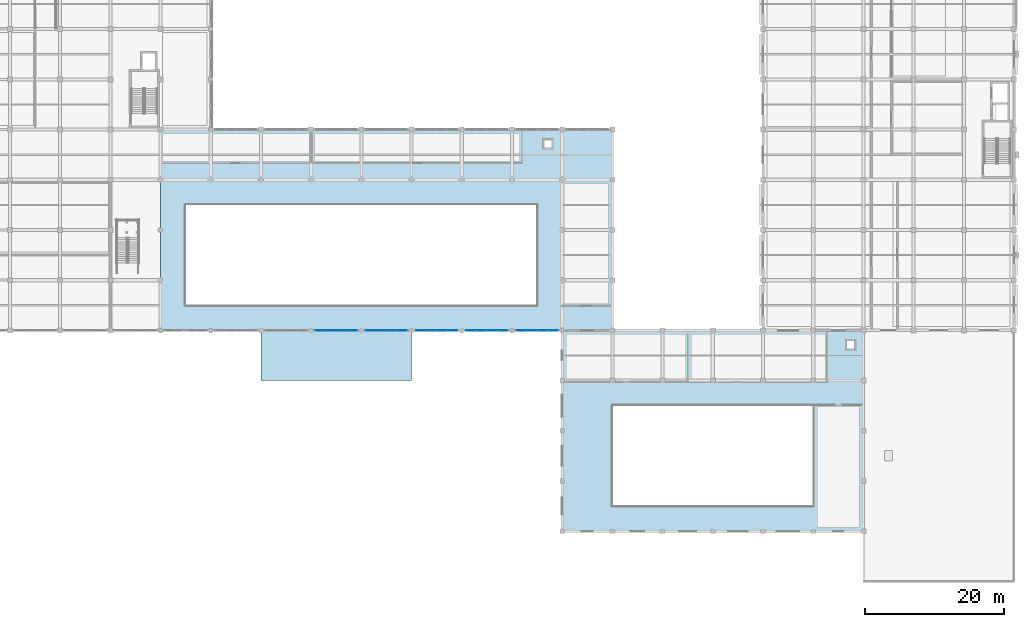
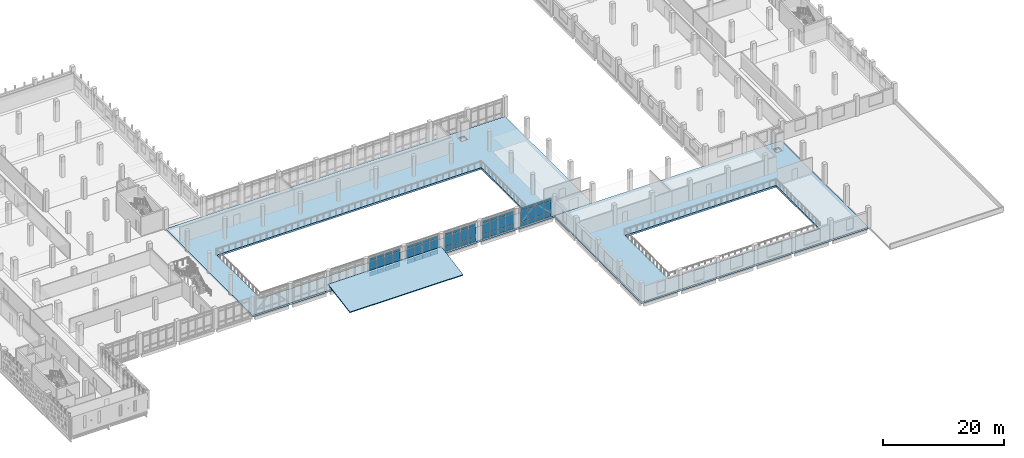
# One storey, part 25 of 57: 60 plates, 3 slabs, 5 elements without a shape of their own.
"""IFC4 building model written with IfcOpenShell, lengths in metres."""

from ifc_helpers import new_model, si_unit, direction, frame, origin, origin_2d, place, context, subcontext, project, spatial, polyline, rectangle, outline, extrude, material, layer, layer_set, type_object, element, aggregate, save


model = new_model("IFC4")

# Units and contexts
model_context = context("Model", 3, precision=1e-05, world=origin(), true_north=direction((0.0, 1.0)))
body_context = subcontext(model_context, "Body", "Model", "MODEL_VIEW")
ifc_project = project(units=[si_unit("LENGTHUNIT", "METRE"), si_unit("AREAUNIT", "SQUARE_METRE"), si_unit("VOLUMEUNIT", "CUBIC_METRE"), si_unit("PLANEANGLEUNIT", "RADIAN"), si_unit("MASSUNIT", "GRAM", prefix="KILO")], contexts=[model_context])

# Site, building, storey
site_placement = place(None, origin())
site = spatial("IfcSite", under=ifc_project, at=site_placement, CompositionType="ELEMENT")
building_placement = place(site_placement, origin())
building = spatial("IfcBuilding", under=site, at=building_placement, Name="Valkovuoma Quantum and Materials Research Institute", CompositionType="ELEMENT")
storey_placement = place(building_placement, frame((0.0, 0.0, 4.800048828125)))
storey = spatial("IfcBuildingStorey", under=building, at=storey_placement, Name="L01", CompositionType="ELEMENT", Elevation=4.800048828125)

# Curtain wall, plates
ifc_material_1 = material(Name="Thermally broken aluminium and triple low-E glazing", Category="aluminium")
ifc_layer_1 = layer(ifc_material_1, 0.219970703125)
ifc_layer_set_1 = layer_set([ifc_layer_1], Name="Thermally broken aluminium and triple low-E glazing")
curtain_wall_type = type_object("IfcCurtainWallType", Name="CW-CW-02", PredefinedType="NOTDEFINED", material=ifc_layer_set_1)
curtain_wall_1_placement = place(storey_placement, origin())
curtain_wall_1 = element("IfcCurtainWall", 1, at=curtain_wall_1_placement, inside=storey, type_object=curtain_wall_type, Name="L01 curtain wall 166", PredefinedType="NOTDEFINED")
ifc_material_2 = material(Name="Triple low-E argon insulating glass", Category="glass")
ifc_layer_2 = layer(ifc_material_2, 0.048095703125)
ifc_layer_set_2 = layer_set([ifc_layer_2], Name="Triple low-E argon insulating glass")
plate_type = type_object("IfcPlateType", Name="CWPanel-CWP-03", PredefinedType="CURTAIN_PANEL", material=ifc_layer_set_2)
plate_1_placement = place(storey_placement, frame((66.155029296875, 36.0, 0.074951171875), z_axis=(0.0, 0.0, 1.0), x_axis=(1.0, 0.0, 0.0)))
plate_1 = element("IfcPlate", 2, at=plate_1_placement, type_object=plate_type, Name="CW-02 panel 1.1", PredefinedType="CURTAIN_PANEL", context=body_context, shape_type="SweptSolid", body=[
    extrude(rectangle(XDim=1.389892578125, YDim=0.048095703125, at=origin_2d()), origin(), (0.0, 0.0, 1.0), 0.83740234375),
])
plate_2_placement = place(storey_placement, frame((66.155029296875, 36.0, 0.9873046875), z_axis=(0.0, 0.0, 1.0), x_axis=(1.0, 0.0, 0.0)))
plate_2 = element("IfcPlate", 3, at=plate_2_placement, type_object=plate_type, Name="CW-02 panel 1.2", PredefinedType="CURTAIN_PANEL", context=body_context, shape_type="SweptSolid", body=[
    extrude(rectangle(XDim=1.389892578125, YDim=0.048095703125, at=origin_2d()), origin(), (0.0, 0.0, 1.0), 2.135009765625),
])
plate_3_placement = place(storey_placement, frame((66.155029296875, 36.0, 3.197509765625), z_axis=(0.0, 0.0, 1.0), x_axis=(1.0, 0.0, 0.0)))
plate_3 = element("IfcPlate", 4, at=plate_3_placement, type_object=plate_type, Name="CW-02 panel 1.3", PredefinedType="CURTAIN_PANEL", context=body_context, shape_type="SweptSolid", body=[
    extrude(rectangle(XDim=1.389892578125, YDim=0.048095703125, at=origin_2d()), origin(), (0.0, 0.0, 1.0), 0.53759765625),
])
plate_4_placement = place(storey_placement, frame((67.64501953125, 36.0, 0.074951171875), z_axis=(0.0, 0.0, 1.0), x_axis=(1.0, 0.0, 0.0)))
plate_4 = element("IfcPlate", 5, at=plate_4_placement, type_object=plate_type, Name="CW-02 panel 2.1", PredefinedType="CURTAIN_PANEL", context=body_context, shape_type="SweptSolid", body=[
    extrude(rectangle(XDim=1.429931640625, YDim=0.048095703125, at=origin_2d()), origin(), (0.0, 0.0, 1.0), 0.83740234375),
])
plate_5_placement = place(storey_placement, frame((67.64501953125, 36.0, 0.9873046875), z_axis=(0.0, 0.0, 1.0), x_axis=(1.0, 0.0, 0.0)))
plate_5 = element("IfcPlate", 6, at=plate_5_placement, type_object=plate_type, Name="CW-02 panel 2.2", PredefinedType="CURTAIN_PANEL", context=body_context, shape_type="SweptSolid", body=[
    extrude(rectangle(XDim=1.429931640625, YDim=0.048095703125, at=origin_2d()), origin(), (0.0, 0.0, 1.0), 2.135009765625),
])
plate_6_placement = place(storey_placement, frame((67.64501953125, 36.0, 3.197509765625), z_axis=(0.0, 0.0, 1.0), x_axis=(1.0, 0.0, 0.0)))
plate_6 = element("IfcPlate", 7, at=plate_6_placement, type_object=plate_type, Name="CW-02 panel 2.3", PredefinedType="CURTAIN_PANEL", context=body_context, shape_type="SweptSolid", body=[
    extrude(rectangle(XDim=1.429931640625, YDim=0.048095703125, at=origin_2d()), origin(), (0.0, 0.0, 1.0), 0.53759765625),
])
plate_7_placement = place(storey_placement, frame((69.155029296875, 36.0, 0.074951171875), z_axis=(0.0, 0.0, 1.0), x_axis=(1.0, 0.0, 0.0)))
plate_7 = element("IfcPlate", 8, at=plate_7_placement, type_object=plate_type, Name="CW-02 panel 3.1", PredefinedType="CURTAIN_PANEL", context=body_context, shape_type="SweptSolid", body=[
    extrude(rectangle(XDim=1.429931640625, YDim=0.048095703125, at=origin_2d()), origin(), (0.0, 0.0, 1.0), 0.83740234375),
])
plate_8_placement = place(storey_placement, frame((69.155029296875, 36.0, 0.9873046875), z_axis=(0.0, 0.0, 1.0), x_axis=(1.0, 0.0, 0.0)))
plate_8 = element("IfcPlate", 9, at=plate_8_placement, type_object=plate_type, Name="CW-02 panel 3.2", PredefinedType="CURTAIN_PANEL", context=body_context, shape_type="SweptSolid", body=[
    extrude(rectangle(XDim=1.429931640625, YDim=0.048095703125, at=origin_2d()), origin(), (0.0, 0.0, 1.0), 2.135009765625),
])
plate_9_placement = place(storey_placement, frame((69.155029296875, 36.0, 3.197509765625), z_axis=(0.0, 0.0, 1.0), x_axis=(1.0, 0.0, 0.0)))
plate_9 = element("IfcPlate", 10, at=plate_9_placement, type_object=plate_type, Name="CW-02 panel 3.3", PredefinedType="CURTAIN_PANEL", context=body_context, shape_type="SweptSolid", body=[
    extrude(rectangle(XDim=1.429931640625, YDim=0.048095703125, at=origin_2d()), origin(), (0.0, 0.0, 1.0), 0.53759765625),
])
plate_10_placement = place(storey_placement, frame((70.64501953125, 36.0, 0.074951171875), z_axis=(0.0, 0.0, 1.0), x_axis=(1.0, 0.0, 0.0)))
plate_10 = element("IfcPlate", 11, at=plate_10_placement, type_object=plate_type, Name="CW-02 panel 4.1", PredefinedType="CURTAIN_PANEL", context=body_context, shape_type="SweptSolid", body=[
    extrude(rectangle(XDim=1.389892578125, YDim=0.048095703125, at=origin_2d()), origin(), (0.0, 0.0, 1.0), 0.83740234375),
])
plate_11_placement = place(storey_placement, frame((70.64501953125, 36.0, 0.9873046875), z_axis=(0.0, 0.0, 1.0), x_axis=(1.0, 0.0, 0.0)))
plate_11 = element("IfcPlate", 12, at=plate_11_placement, type_object=plate_type, Name="CW-02 panel 4.2", PredefinedType="CURTAIN_PANEL", context=body_context, shape_type="SweptSolid", body=[
    extrude(rectangle(XDim=1.389892578125, YDim=0.048095703125, at=origin_2d()), origin(), (0.0, 0.0, 1.0), 2.135009765625),
])
plate_12_placement = place(storey_placement, frame((70.64501953125, 36.0, 3.197509765625), z_axis=(0.0, 0.0, 1.0), x_axis=(1.0, 0.0, 0.0)))
plate_12 = element("IfcPlate", 13, at=plate_12_placement, type_object=plate_type, Name="CW-02 panel 4.3", PredefinedType="CURTAIN_PANEL", context=body_context, shape_type="SweptSolid", body=[
    extrude(rectangle(XDim=1.389892578125, YDim=0.048095703125, at=origin_2d()), origin(), (0.0, 0.0, 1.0), 0.53759765625),
])
aggregate(curtain_wall_1, [plate_1, plate_2, plate_3, plate_4, plate_5, plate_6, plate_7, plate_8, plate_9, plate_10, plate_11, plate_12])

curtain_wall_2_placement = place(storey_placement, origin())
curtain_wall_2 = element("IfcCurtainWall", 14, at=curtain_wall_2_placement, inside=storey, type_object=curtain_wall_type, Name="L01 curtain wall 167", PredefinedType="NOTDEFINED")
plate_13_placement = place(storey_placement, frame((73.35498046875, 36.0, 0.074951171875), z_axis=(0.0, 0.0, 1.0), x_axis=(1.0, 0.0, 0.0)))
plate_13 = element("IfcPlate", 15, at=plate_13_placement, type_object=plate_type, Name="CW-02 panel 1.1", PredefinedType="CURTAIN_PANEL", context=body_context, shape_type="SweptSolid", body=[
    extrude(rectangle(XDim=1.389892578125, YDim=0.048095703125, at=origin_2d()), origin(), (0.0, 0.0, 1.0), 0.83740234375),
])
plate_14_placement = place(storey_placement, frame((73.35498046875, 36.0, 0.9873046875), z_axis=(0.0, 0.0, 1.0), x_axis=(1.0, 0.0, 0.0)))
plate_14 = element("IfcPlate", 16, at=plate_14_placement, type_object=plate_type, Name="CW-02 panel 1.2", PredefinedType="CURTAIN_PANEL", context=body_context, shape_type="SweptSolid", body=[
    extrude(rectangle(XDim=1.389892578125, YDim=0.048095703125, at=origin_2d()), origin(), (0.0, 0.0, 1.0), 2.135009765625),
])
plate_15_placement = place(storey_placement, frame((73.35498046875, 36.0, 3.197509765625), z_axis=(0.0, 0.0, 1.0), x_axis=(1.0, 0.0, 0.0)))
plate_15 = element("IfcPlate", 17, at=plate_15_placement, type_object=plate_type, Name="CW-02 panel 1.3", PredefinedType="CURTAIN_PANEL", context=body_context, shape_type="SweptSolid", body=[
    extrude(rectangle(XDim=1.389892578125, YDim=0.048095703125, at=origin_2d()), origin(), (0.0, 0.0, 1.0), 0.53759765625),
])
plate_16_placement = place(storey_placement, frame((74.844970703125, 36.0, 0.074951171875), z_axis=(0.0, 0.0, 1.0), x_axis=(1.0, 0.0, 0.0)))
plate_16 = element("IfcPlate", 18, at=plate_16_placement, type_object=plate_type, Name="CW-02 panel 2.1", PredefinedType="CURTAIN_PANEL", context=body_context, shape_type="SweptSolid", body=[
    extrude(rectangle(XDim=1.429931640625, YDim=0.048095703125, at=origin_2d()), origin(), (0.0, 0.0, 1.0), 0.83740234375),
])
plate_17_placement = place(storey_placement, frame((74.844970703125, 36.0, 0.9873046875), z_axis=(0.0, 0.0, 1.0), x_axis=(1.0, 0.0, 0.0)))
plate_17 = element("IfcPlate", 19, at=plate_17_placement, type_object=plate_type, Name="CW-02 panel 2.2", PredefinedType="CURTAIN_PANEL", context=body_context, shape_type="SweptSolid", body=[
    extrude(rectangle(XDim=1.429931640625, YDim=0.048095703125, at=origin_2d()), origin(), (0.0, 0.0, 1.0), 2.135009765625),
])
plate_18_placement = place(storey_placement, frame((74.844970703125, 36.0, 3.197509765625), z_axis=(0.0, 0.0, 1.0), x_axis=(1.0, 0.0, 0.0)))
plate_18 = element("IfcPlate", 20, at=plate_18_placement, type_object=plate_type, Name="CW-02 panel 2.3", PredefinedType="CURTAIN_PANEL", context=body_context, shape_type="SweptSolid", body=[
    extrude(rectangle(XDim=1.429931640625, YDim=0.048095703125, at=origin_2d()), origin(), (0.0, 0.0, 1.0), 0.53759765625),
])
plate_19_placement = place(storey_placement, frame((76.35498046875, 36.0, 0.074951171875), z_axis=(0.0, 0.0, 1.0), x_axis=(1.0, 0.0, 0.0)))
plate_19 = element("IfcPlate", 21, at=plate_19_placement, type_object=plate_type, Name="CW-02 panel 3.1", PredefinedType="CURTAIN_PANEL", context=body_context, shape_type="SweptSolid", body=[
    extrude(rectangle(XDim=1.429931640625, YDim=0.048095703125, at=origin_2d()), origin(), (0.0, 0.0, 1.0), 0.83740234375),
])
plate_20_placement = place(storey_placement, frame((76.35498046875, 36.0, 0.9873046875), z_axis=(0.0, 0.0, 1.0), x_axis=(1.0, 0.0, 0.0)))
plate_20 = element("IfcPlate", 22, at=plate_20_placement, type_object=plate_type, Name="CW-02 panel 3.2", PredefinedType="CURTAIN_PANEL", context=body_context, shape_type="SweptSolid", body=[
    extrude(rectangle(XDim=1.429931640625, YDim=0.048095703125, at=origin_2d()), origin(), (0.0, 0.0, 1.0), 2.135009765625),
])
plate_21_placement = place(storey_placement, frame((76.35498046875, 36.0, 3.197509765625), z_axis=(0.0, 0.0, 1.0), x_axis=(1.0, 0.0, 0.0)))
plate_21 = element("IfcPlate", 23, at=plate_21_placement, type_object=plate_type, Name="CW-02 panel 3.3", PredefinedType="CURTAIN_PANEL", context=body_context, shape_type="SweptSolid", body=[
    extrude(rectangle(XDim=1.429931640625, YDim=0.048095703125, at=origin_2d()), origin(), (0.0, 0.0, 1.0), 0.53759765625),
])
plate_22_placement = place(storey_placement, frame((77.844970703125, 36.0, 0.074951171875), z_axis=(0.0, 0.0, 1.0), x_axis=(1.0, 0.0, 0.0)))
plate_22 = element("IfcPlate", 24, at=plate_22_placement, type_object=plate_type, Name="CW-02 panel 4.1", PredefinedType="CURTAIN_PANEL", context=body_context, shape_type="SweptSolid", body=[
    extrude(rectangle(XDim=1.389892578125, YDim=0.048095703125, at=origin_2d()), origin(), (0.0, 0.0, 1.0), 0.83740234375),
])
plate_23_placement = place(storey_placement, frame((77.844970703125, 36.0, 0.9873046875), z_axis=(0.0, 0.0, 1.0), x_axis=(1.0, 0.0, 0.0)))
plate_23 = element("IfcPlate", 25, at=plate_23_placement, type_object=plate_type, Name="CW-02 panel 4.2", PredefinedType="CURTAIN_PANEL", context=body_context, shape_type="SweptSolid", body=[
    extrude(rectangle(XDim=1.389892578125, YDim=0.048095703125, at=origin_2d()), origin(), (0.0, 0.0, 1.0), 2.135009765625),
])
plate_24_placement = place(storey_placement, frame((77.844970703125, 36.0, 3.197509765625), z_axis=(0.0, 0.0, 1.0), x_axis=(1.0, 0.0, 0.0)))
plate_24 = element("IfcPlate", 26, at=plate_24_placement, type_object=plate_type, Name="CW-02 panel 4.3", PredefinedType="CURTAIN_PANEL", context=body_context, shape_type="SweptSolid", body=[
    extrude(rectangle(XDim=1.389892578125, YDim=0.048095703125, at=origin_2d()), origin(), (0.0, 0.0, 1.0), 0.53759765625),
])
aggregate(curtain_wall_2, [plate_13, plate_14, plate_15, plate_16, plate_17, plate_18, plate_19, plate_20, plate_21, plate_22, plate_23, plate_24])

curtain_wall_3_placement = place(storey_placement, origin())
curtain_wall_3 = element("IfcCurtainWall", 27, at=curtain_wall_3_placement, inside=storey, type_object=curtain_wall_type, Name="L01 curtain wall 168", PredefinedType="NOTDEFINED")
plate_25_placement = place(storey_placement, frame((80.554931640625, 36.0, 0.074951171875), z_axis=(0.0, 0.0, 1.0), x_axis=(1.0, 0.0, 0.0)))
plate_25 = element("IfcPlate", 28, at=plate_25_placement, type_object=plate_type, Name="CW-02 panel 1.1", PredefinedType="CURTAIN_PANEL", context=body_context, shape_type="SweptSolid", body=[
    extrude(rectangle(XDim=1.389892578125, YDim=0.048095703125, at=origin_2d()), origin(), (0.0, 0.0, 1.0), 0.83740234375),
])
plate_26_placement = place(storey_placement, frame((80.554931640625, 36.0, 0.9873046875), z_axis=(0.0, 0.0, 1.0), x_axis=(1.0, 0.0, 0.0)))
plate_26 = element("IfcPlate", 29, at=plate_26_placement, type_object=plate_type, Name="CW-02 panel 1.2", PredefinedType="CURTAIN_PANEL", context=body_context, shape_type="SweptSolid", body=[
    extrude(rectangle(XDim=1.389892578125, YDim=0.048095703125, at=origin_2d()), origin(), (0.0, 0.0, 1.0), 2.135009765625),
])
plate_27_placement = place(storey_placement, frame((80.554931640625, 36.0, 3.197509765625), z_axis=(0.0, 0.0, 1.0), x_axis=(1.0, 0.0, 0.0)))
plate_27 = element("IfcPlate", 30, at=plate_27_placement, type_object=plate_type, Name="CW-02 panel 1.3", PredefinedType="CURTAIN_PANEL", context=body_context, shape_type="SweptSolid", body=[
    extrude(rectangle(XDim=1.389892578125, YDim=0.048095703125, at=origin_2d()), origin(), (0.0, 0.0, 1.0), 0.53759765625),
])
plate_28_placement = place(storey_placement, frame((82.044921875, 36.0, 0.074951171875), z_axis=(0.0, 0.0, 1.0), x_axis=(1.0, 0.0, 0.0)))
plate_28 = element("IfcPlate", 31, at=plate_28_placement, type_object=plate_type, Name="CW-02 panel 2.1", PredefinedType="CURTAIN_PANEL", context=body_context, shape_type="SweptSolid", body=[
    extrude(rectangle(XDim=1.429931640625, YDim=0.048095703125, at=origin_2d()), origin(), (0.0, 0.0, 1.0), 0.83740234375),
])
plate_29_placement = place(storey_placement, frame((82.044921875, 36.0, 0.9873046875), z_axis=(0.0, 0.0, 1.0), x_axis=(1.0, 0.0, 0.0)))
plate_29 = element("IfcPlate", 32, at=plate_29_placement, type_object=plate_type, Name="CW-02 panel 2.2", PredefinedType="CURTAIN_PANEL", context=body_context, shape_type="SweptSolid", body=[
    extrude(rectangle(XDim=1.429931640625, YDim=0.048095703125, at=origin_2d()), origin(), (0.0, 0.0, 1.0), 2.135009765625),
])
plate_30_placement = place(storey_placement, frame((82.044921875, 36.0, 3.197509765625), z_axis=(0.0, 0.0, 1.0), x_axis=(1.0, 0.0, 0.0)))
plate_30 = element("IfcPlate", 33, at=plate_30_placement, type_object=plate_type, Name="CW-02 panel 2.3", PredefinedType="CURTAIN_PANEL", context=body_context, shape_type="SweptSolid", body=[
    extrude(rectangle(XDim=1.429931640625, YDim=0.048095703125, at=origin_2d()), origin(), (0.0, 0.0, 1.0), 0.53759765625),
])
plate_31_placement = place(storey_placement, frame((83.554931640625, 36.0, 0.074951171875), z_axis=(0.0, 0.0, 1.0), x_axis=(1.0, 0.0, 0.0)))
plate_31 = element("IfcPlate", 34, at=plate_31_placement, type_object=plate_type, Name="CW-02 panel 3.1", PredefinedType="CURTAIN_PANEL", context=body_context, shape_type="SweptSolid", body=[
    extrude(rectangle(XDim=1.429931640625, YDim=0.048095703125, at=origin_2d()), origin(), (0.0, 0.0, 1.0), 0.83740234375),
])
plate_32_placement = place(storey_placement, frame((83.554931640625, 36.0, 0.9873046875), z_axis=(0.0, 0.0, 1.0), x_axis=(1.0, 0.0, 0.0)))
plate_32 = element("IfcPlate", 35, at=plate_32_placement, type_object=plate_type, Name="CW-02 panel 3.2", PredefinedType="CURTAIN_PANEL", context=body_context, shape_type="SweptSolid", body=[
    extrude(rectangle(XDim=1.429931640625, YDim=0.048095703125, at=origin_2d()), origin(), (0.0, 0.0, 1.0), 2.135009765625),
])
plate_33_placement = place(storey_placement, frame((83.554931640625, 36.0, 3.197509765625), z_axis=(0.0, 0.0, 1.0), x_axis=(1.0, 0.0, 0.0)))
plate_33 = element("IfcPlate", 36, at=plate_33_placement, type_object=plate_type, Name="CW-02 panel 3.3", PredefinedType="CURTAIN_PANEL", context=body_context, shape_type="SweptSolid", body=[
    extrude(rectangle(XDim=1.429931640625, YDim=0.048095703125, at=origin_2d()), origin(), (0.0, 0.0, 1.0), 0.53759765625),
])
plate_34_placement = place(storey_placement, frame((85.044921875, 36.0, 0.074951171875), z_axis=(0.0, 0.0, 1.0), x_axis=(1.0, 0.0, 0.0)))
plate_34 = element("IfcPlate", 37, at=plate_34_placement, type_object=plate_type, Name="CW-02 panel 4.1", PredefinedType="CURTAIN_PANEL", context=body_context, shape_type="SweptSolid", body=[
    extrude(rectangle(XDim=1.389892578125, YDim=0.048095703125, at=origin_2d()), origin(), (0.0, 0.0, 1.0), 0.83740234375),
])
plate_35_placement = place(storey_placement, frame((85.044921875, 36.0, 0.9873046875), z_axis=(0.0, 0.0, 1.0), x_axis=(1.0, 0.0, 0.0)))
plate_35 = element("IfcPlate", 38, at=plate_35_placement, type_object=plate_type, Name="CW-02 panel 4.2", PredefinedType="CURTAIN_PANEL", context=body_context, shape_type="SweptSolid", body=[
    extrude(rectangle(XDim=1.389892578125, YDim=0.048095703125, at=origin_2d()), origin(), (0.0, 0.0, 1.0), 2.135009765625),
])
plate_36_placement = place(storey_placement, frame((85.044921875, 36.0, 3.197509765625), z_axis=(0.0, 0.0, 1.0), x_axis=(1.0, 0.0, 0.0)))
plate_36 = element("IfcPlate", 39, at=plate_36_placement, type_object=plate_type, Name="CW-02 panel 4.3", PredefinedType="CURTAIN_PANEL", context=body_context, shape_type="SweptSolid", body=[
    extrude(rectangle(XDim=1.389892578125, YDim=0.048095703125, at=origin_2d()), origin(), (0.0, 0.0, 1.0), 0.53759765625),
])
aggregate(curtain_wall_3, [plate_25, plate_26, plate_27, plate_28, plate_29, plate_30, plate_31, plate_32, plate_33, plate_34, plate_35, plate_36])

curtain_wall_4_placement = place(storey_placement, origin())
curtain_wall_4 = element("IfcCurtainWall", 40, at=curtain_wall_4_placement, inside=storey, type_object=curtain_wall_type, Name="L01 curtain wall 169", PredefinedType="NOTDEFINED")
plate_37_placement = place(storey_placement, frame((87.7548828125, 36.0, 0.074951171875), z_axis=(0.0, 0.0, 1.0), x_axis=(1.0, 0.0, 0.0)))
plate_37 = element("IfcPlate", 41, at=plate_37_placement, type_object=plate_type, Name="CW-02 panel 1.1", PredefinedType="CURTAIN_PANEL", context=body_context, shape_type="SweptSolid", body=[
    extrude(rectangle(XDim=1.389892578125, YDim=0.048095703125, at=origin_2d()), origin(), (0.0, 0.0, 1.0), 0.83740234375),
])
plate_38_placement = place(storey_placement, frame((87.7548828125, 36.0, 0.9873046875), z_axis=(0.0, 0.0, 1.0), x_axis=(1.0, 0.0, 0.0)))
plate_38 = element("IfcPlate", 42, at=plate_38_placement, type_object=plate_type, Name="CW-02 panel 1.2", PredefinedType="CURTAIN_PANEL", context=body_context, shape_type="SweptSolid", body=[
    extrude(rectangle(XDim=1.389892578125, YDim=0.048095703125, at=origin_2d()), origin(), (0.0, 0.0, 1.0), 2.135009765625),
])
plate_39_placement = place(storey_placement, frame((87.7548828125, 36.0, 3.197509765625), z_axis=(0.0, 0.0, 1.0), x_axis=(1.0, 0.0, 0.0)))
plate_39 = element("IfcPlate", 43, at=plate_39_placement, type_object=plate_type, Name="CW-02 panel 1.3", PredefinedType="CURTAIN_PANEL", context=body_context, shape_type="SweptSolid", body=[
    extrude(rectangle(XDim=1.389892578125, YDim=0.048095703125, at=origin_2d()), origin(), (0.0, 0.0, 1.0), 0.53759765625),
])
plate_40_placement = place(storey_placement, frame((89.2451171875, 36.0, 0.074951171875), z_axis=(0.0, 0.0, 1.0), x_axis=(1.0, 0.0, 0.0)))
plate_40 = element("IfcPlate", 44, at=plate_40_placement, type_object=plate_type, Name="CW-02 panel 2.1", PredefinedType="CURTAIN_PANEL", context=body_context, shape_type="SweptSolid", body=[
    extrude(rectangle(XDim=1.429931640625, YDim=0.048095703125, at=origin_2d()), origin(), (0.0, 0.0, 1.0), 0.83740234375),
])
plate_41_placement = place(storey_placement, frame((89.2451171875, 36.0, 0.9873046875), z_axis=(0.0, 0.0, 1.0), x_axis=(1.0, 0.0, 0.0)))
plate_41 = element("IfcPlate", 45, at=plate_41_placement, type_object=plate_type, Name="CW-02 panel 2.2", PredefinedType="CURTAIN_PANEL", context=body_context, shape_type="SweptSolid", body=[
    extrude(rectangle(XDim=1.429931640625, YDim=0.048095703125, at=origin_2d()), origin(), (0.0, 0.0, 1.0), 2.135009765625),
])
plate_42_placement = place(storey_placement, frame((89.2451171875, 36.0, 3.197509765625), z_axis=(0.0, 0.0, 1.0), x_axis=(1.0, 0.0, 0.0)))
plate_42 = element("IfcPlate", 46, at=plate_42_placement, type_object=plate_type, Name="CW-02 panel 2.3", PredefinedType="CURTAIN_PANEL", context=body_context, shape_type="SweptSolid", body=[
    extrude(rectangle(XDim=1.429931640625, YDim=0.048095703125, at=origin_2d()), origin(), (0.0, 0.0, 1.0), 0.53759765625),
])
plate_43_placement = place(storey_placement, frame((90.7548828125, 36.0, 0.074951171875), z_axis=(0.0, 0.0, 1.0), x_axis=(1.0, 0.0, 0.0)))
plate_43 = element("IfcPlate", 47, at=plate_43_placement, type_object=plate_type, Name="CW-02 panel 3.1", PredefinedType="CURTAIN_PANEL", context=body_context, shape_type="SweptSolid", body=[
    extrude(rectangle(XDim=1.429931640625, YDim=0.048095703125, at=origin_2d()), origin(), (0.0, 0.0, 1.0), 0.83740234375),
])
plate_44_placement = place(storey_placement, frame((90.7548828125, 36.0, 0.9873046875), z_axis=(0.0, 0.0, 1.0), x_axis=(1.0, 0.0, 0.0)))
plate_44 = element("IfcPlate", 48, at=plate_44_placement, type_object=plate_type, Name="CW-02 panel 3.2", PredefinedType="CURTAIN_PANEL", context=body_context, shape_type="SweptSolid", body=[
    extrude(rectangle(XDim=1.429931640625, YDim=0.048095703125, at=origin_2d()), origin(), (0.0, 0.0, 1.0), 2.135009765625),
])
plate_45_placement = place(storey_placement, frame((90.7548828125, 36.0, 3.197509765625), z_axis=(0.0, 0.0, 1.0), x_axis=(1.0, 0.0, 0.0)))
plate_45 = element("IfcPlate", 49, at=plate_45_placement, type_object=plate_type, Name="CW-02 panel 3.3", PredefinedType="CURTAIN_PANEL", context=body_context, shape_type="SweptSolid", body=[
    extrude(rectangle(XDim=1.429931640625, YDim=0.048095703125, at=origin_2d()), origin(), (0.0, 0.0, 1.0), 0.53759765625),
])
plate_46_placement = place(storey_placement, frame((92.2451171875, 36.0, 0.074951171875), z_axis=(0.0, 0.0, 1.0), x_axis=(1.0, 0.0, 0.0)))
plate_46 = element("IfcPlate", 50, at=plate_46_placement, type_object=plate_type, Name="CW-02 panel 4.1", PredefinedType="CURTAIN_PANEL", context=body_context, shape_type="SweptSolid", body=[
    extrude(rectangle(XDim=1.389892578125, YDim=0.048095703125, at=origin_2d()), origin(), (0.0, 0.0, 1.0), 0.83740234375),
])
plate_47_placement = place(storey_placement, frame((92.2451171875, 36.0, 0.9873046875), z_axis=(0.0, 0.0, 1.0), x_axis=(1.0, 0.0, 0.0)))
plate_47 = element("IfcPlate", 51, at=plate_47_placement, type_object=plate_type, Name="CW-02 panel 4.2", PredefinedType="CURTAIN_PANEL", context=body_context, shape_type="SweptSolid", body=[
    extrude(rectangle(XDim=1.389892578125, YDim=0.048095703125, at=origin_2d()), origin(), (0.0, 0.0, 1.0), 2.135009765625),
])
plate_48_placement = place(storey_placement, frame((92.2451171875, 36.0, 3.197509765625), z_axis=(0.0, 0.0, 1.0), x_axis=(1.0, 0.0, 0.0)))
plate_48 = element("IfcPlate", 52, at=plate_48_placement, type_object=plate_type, Name="CW-02 panel 4.3", PredefinedType="CURTAIN_PANEL", context=body_context, shape_type="SweptSolid", body=[
    extrude(rectangle(XDim=1.389892578125, YDim=0.048095703125, at=origin_2d()), origin(), (0.0, 0.0, 1.0), 0.53759765625),
])
aggregate(curtain_wall_4, [plate_37, plate_38, plate_39, plate_40, plate_41, plate_42, plate_43, plate_44, plate_45, plate_46, plate_47, plate_48])

curtain_wall_5_placement = place(storey_placement, origin())
curtain_wall_5 = element("IfcCurtainWall", 53, at=curtain_wall_5_placement, inside=storey, type_object=curtain_wall_type, Name="L01 curtain wall 170", PredefinedType="NOTDEFINED")
plate_49_placement = place(storey_placement, frame((94.955078125, 36.0, 0.074951171875), z_axis=(0.0, 0.0, 1.0), x_axis=(1.0, 0.0, 0.0)))
plate_49 = element("IfcPlate", 54, at=plate_49_placement, type_object=plate_type, Name="CW-02 panel 1.1", PredefinedType="CURTAIN_PANEL", context=body_context, shape_type="SweptSolid", body=[
    extrude(rectangle(XDim=1.389892578125, YDim=0.048095703125, at=origin_2d()), origin(), (0.0, 0.0, 1.0), 0.83740234375),
])
plate_50_placement = place(storey_placement, frame((94.955078125, 36.0, 0.9873046875), z_axis=(0.0, 0.0, 1.0), x_axis=(1.0, 0.0, 0.0)))
plate_50 = element("IfcPlate", 55, at=plate_50_placement, type_object=plate_type, Name="CW-02 panel 1.2", PredefinedType="CURTAIN_PANEL", context=body_context, shape_type="SweptSolid", body=[
    extrude(rectangle(XDim=1.389892578125, YDim=0.048095703125, at=origin_2d()), origin(), (0.0, 0.0, 1.0), 2.135009765625),
])
plate_51_placement = place(storey_placement, frame((94.955078125, 36.0, 3.197509765625), z_axis=(0.0, 0.0, 1.0), x_axis=(1.0, 0.0, 0.0)))
plate_51 = element("IfcPlate", 56, at=plate_51_placement, type_object=plate_type, Name="CW-02 panel 1.3", PredefinedType="CURTAIN_PANEL", context=body_context, shape_type="SweptSolid", body=[
    extrude(rectangle(XDim=1.389892578125, YDim=0.048095703125, at=origin_2d()), origin(), (0.0, 0.0, 1.0), 0.53759765625),
])
plate_52_placement = place(storey_placement, frame((96.445068359375, 36.0, 0.074951171875), z_axis=(0.0, 0.0, 1.0), x_axis=(1.0, 0.0, 0.0)))
plate_52 = element("IfcPlate", 57, at=plate_52_placement, type_object=plate_type, Name="CW-02 panel 2.1", PredefinedType="CURTAIN_PANEL", context=body_context, shape_type="SweptSolid", body=[
    extrude(rectangle(XDim=1.429931640625, YDim=0.048095703125, at=origin_2d()), origin(), (0.0, 0.0, 1.0), 0.83740234375),
])
plate_53_placement = place(storey_placement, frame((96.445068359375, 36.0, 0.9873046875), z_axis=(0.0, 0.0, 1.0), x_axis=(1.0, 0.0, 0.0)))
plate_53 = element("IfcPlate", 58, at=plate_53_placement, type_object=plate_type, Name="CW-02 panel 2.2", PredefinedType="CURTAIN_PANEL", context=body_context, shape_type="SweptSolid", body=[
    extrude(rectangle(XDim=1.429931640625, YDim=0.048095703125, at=origin_2d()), origin(), (0.0, 0.0, 1.0), 2.135009765625),
])
plate_54_placement = place(storey_placement, frame((96.445068359375, 36.0, 3.197509765625), z_axis=(0.0, 0.0, 1.0), x_axis=(1.0, 0.0, 0.0)))
plate_54 = element("IfcPlate", 59, at=plate_54_placement, type_object=plate_type, Name="CW-02 panel 2.3", PredefinedType="CURTAIN_PANEL", context=body_context, shape_type="SweptSolid", body=[
    extrude(rectangle(XDim=1.429931640625, YDim=0.048095703125, at=origin_2d()), origin(), (0.0, 0.0, 1.0), 0.53759765625),
])
plate_55_placement = place(storey_placement, frame((97.955078125, 36.0, 0.074951171875), z_axis=(0.0, 0.0, 1.0), x_axis=(1.0, 0.0, 0.0)))
plate_55 = element("IfcPlate", 60, at=plate_55_placement, type_object=plate_type, Name="CW-02 panel 3.1", PredefinedType="CURTAIN_PANEL", context=body_context, shape_type="SweptSolid", body=[
    extrude(rectangle(XDim=1.429931640625, YDim=0.048095703125, at=origin_2d()), origin(), (0.0, 0.0, 1.0), 0.83740234375),
])
plate_56_placement = place(storey_placement, frame((97.955078125, 36.0, 0.9873046875), z_axis=(0.0, 0.0, 1.0), x_axis=(1.0, 0.0, 0.0)))
plate_56 = element("IfcPlate", 61, at=plate_56_placement, type_object=plate_type, Name="CW-02 panel 3.2", PredefinedType="CURTAIN_PANEL", context=body_context, shape_type="SweptSolid", body=[
    extrude(rectangle(XDim=1.429931640625, YDim=0.048095703125, at=origin_2d()), origin(), (0.0, 0.0, 1.0), 2.135009765625),
])
plate_57_placement = place(storey_placement, frame((97.955078125, 36.0, 3.197509765625), z_axis=(0.0, 0.0, 1.0), x_axis=(1.0, 0.0, 0.0)))
plate_57 = element("IfcPlate", 62, at=plate_57_placement, type_object=plate_type, Name="CW-02 panel 3.3", PredefinedType="CURTAIN_PANEL", context=body_context, shape_type="SweptSolid", body=[
    extrude(rectangle(XDim=1.429931640625, YDim=0.048095703125, at=origin_2d()), origin(), (0.0, 0.0, 1.0), 0.53759765625),
])
plate_58_placement = place(storey_placement, frame((99.445068359375, 36.0, 0.074951171875), z_axis=(0.0, 0.0, 1.0), x_axis=(1.0, 0.0, 0.0)))
plate_58 = element("IfcPlate", 63, at=plate_58_placement, type_object=plate_type, Name="CW-02 panel 4.1", PredefinedType="CURTAIN_PANEL", context=body_context, shape_type="SweptSolid", body=[
    extrude(rectangle(XDim=1.389892578125, YDim=0.048095703125, at=origin_2d()), origin(), (0.0, 0.0, 1.0), 0.83740234375),
])
plate_59_placement = place(storey_placement, frame((99.445068359375, 36.0, 0.9873046875), z_axis=(0.0, 0.0, 1.0), x_axis=(1.0, 0.0, 0.0)))
plate_59 = element("IfcPlate", 64, at=plate_59_placement, type_object=plate_type, Name="CW-02 panel 4.2", PredefinedType="CURTAIN_PANEL", context=body_context, shape_type="SweptSolid", body=[
    extrude(rectangle(XDim=1.389892578125, YDim=0.048095703125, at=origin_2d()), origin(), (0.0, 0.0, 1.0), 2.135009765625),
])
plate_60_placement = place(storey_placement, frame((99.445068359375, 36.0, 3.197509765625), z_axis=(0.0, 0.0, 1.0), x_axis=(1.0, 0.0, 0.0)))
plate_60 = element("IfcPlate", 65, at=plate_60_placement, type_object=plate_type, Name="CW-02 panel 4.3", PredefinedType="CURTAIN_PANEL", context=body_context, shape_type="SweptSolid", body=[
    extrude(rectangle(XDim=1.389892578125, YDim=0.048095703125, at=origin_2d()), origin(), (0.0, 0.0, 1.0), 0.53759765625),
])
aggregate(curtain_wall_5, [plate_49, plate_50, plate_51, plate_52, plate_53, plate_54, plate_55, plate_56, plate_57, plate_58, plate_59, plate_60])

# Slabs
ifc_material_3 = material(Name="Concrete C40/50", Category="concrete")
ifc_layer_3 = layer(ifc_material_3, 0.35009765625)
ifc_layer_set_3 = layer_set([ifc_layer_3], Name="Concrete C40/50")
slab_type_1 = type_object("IfcSlabType", Name="Slab-SL-FL350", PredefinedType="FLOOR", material=ifc_layer_set_3)
slab_1_placement = place(storey_placement, frame((0.0, 0.0, -0.35009765625)))
element("IfcSlab", 66, at=slab_1_placement, inside=storey, type_object=slab_type_1, Name="L01 vol1_lecture structural slab 1", PredefinedType="FLOOR", context=body_context, shape_type="SweptSolid", body=[
    extrude(outline(polyline([(100.800048828125, 7.199951171875), (144.0, 7.199951171875), (144.0, 36.0), (100.800048828125, 36.0), (100.800048828125, 7.199951171875)]), holes=[polyline([(141.60009765625, 33.39990234375), (142.699951171875, 33.39990234375), (142.699951171875, 34.5), (141.60009765625, 34.5), (141.60009765625, 33.39990234375)]), polyline([(108.0, 10.800048828125), (136.800048828125, 10.800048828125), (136.800048828125, 25.199951171875), (108.0, 25.199951171875), (108.0, 10.800048828125)])]), origin(), (0.0, 0.0, 1.0), 0.35009765625),
])
slab_2_placement = place(storey_placement, frame((0.0, 0.0, -0.35009765625)))
element("IfcSlab", 67, at=slab_2_placement, inside=storey, type_object=slab_type_1, Name="L01 vol2_atrium structural slab 2", PredefinedType="FLOOR", context=body_context, shape_type="SweptSolid", body=[
    extrude(outline(polyline([(43.199951171875, 36.0), (108.0, 36.0), (108.0, 64.800048828125), (43.199951171875, 64.800048828125), (43.199951171875, 36.0)]), holes=[polyline([(98.199951171875, 62.199951171875), (99.300048828125, 62.199951171875), (99.300048828125, 63.300048828125), (98.199951171875, 63.300048828125), (98.199951171875, 62.199951171875)]), polyline([(46.800048828125, 39.60009765625), (97.199951171875, 39.60009765625), (97.199951171875, 54.0), (46.800048828125, 54.0), (46.800048828125, 39.60009765625)])]), origin(), (0.0, 0.0, 1.0), 0.35009765625),
])
ifc_material_4 = material(Name="Concrete C40/50", Category="concrete")
ifc_layer_4 = layer(ifc_material_4, 0.199951171875)
ifc_layer_set_4 = layer_set([ifc_layer_4], Name="Concrete C40/50")
slab_type_2 = type_object("IfcSlabType", Name="Slab-SL-RF200", PredefinedType="ROOF", material=ifc_layer_set_4)
slab_3_placement = place(storey_placement, frame((57.60009765625, 28.800048828125, 0.0), z_axis=(0.0, -0.173646267245, 0.984808089869), x_axis=(1.0, 0.0, 0.0)))
element("IfcSlab", 68, at=slab_3_placement, inside=storey, type_object=slab_type_2, Name="L01 entrance porch sloped canopy slab", PredefinedType="ROOF", context=body_context, shape_type="SweptSolid", body=[
    extrude(outline(polyline([(0.0, 0.0), (21.599853515625, 0.0), (21.599853515625, 7.3110195234393105), (0.0, 7.3110195234393105), (0.0, 0.0)])), origin(), (0.0, 0.0, -1.0), 0.199951171875),
])

save(model, "model.ifc")
